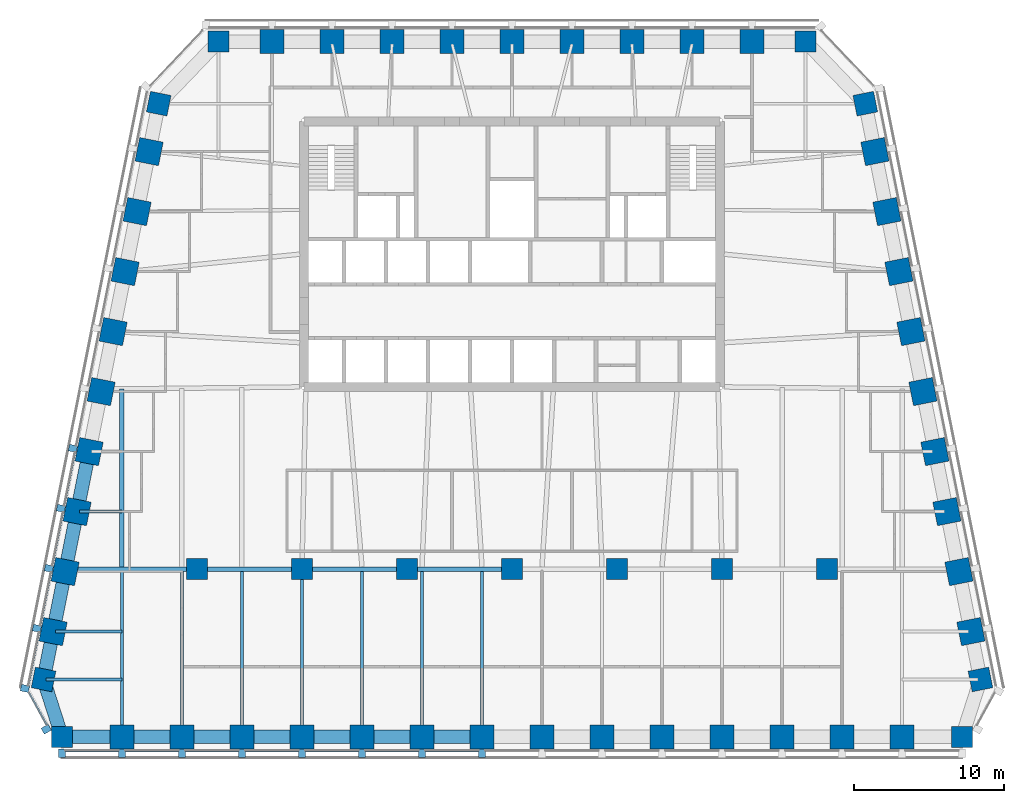
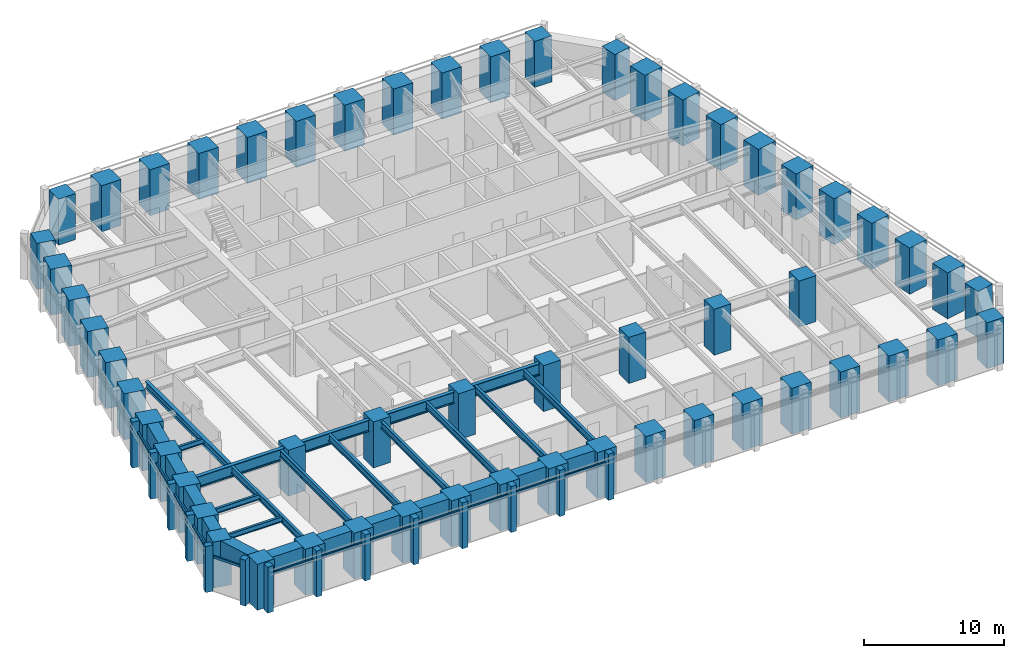
# One storey, part 1 of 11: 56 columns, 27 beams, 26 members, 3 elements without a shape of their own.
"""IFC4 building model written with IfcOpenShell, lengths in metres."""

from ifc_helpers import new_model, si_unit, direction, frame, origin, origin_2d, place, context, subcontext, project, spatial, rectangle, i_section, extrude, material, material_profile, profile_set, type_object, element, aggregate, save


model = new_model("IFC4")

# Units and contexts
model_context = context("Model", 3, precision=1e-05, world=origin(), true_north=direction((0.0, 1.0)))
body_context = subcontext(model_context, "Body", "Model", "MODEL_VIEW")
ifc_project = project(units=[si_unit("LENGTHUNIT", "METRE"), si_unit("AREAUNIT", "SQUARE_METRE"), si_unit("VOLUMEUNIT", "CUBIC_METRE"), si_unit("PLANEANGLEUNIT", "RADIAN"), si_unit("MASSUNIT", "GRAM", prefix="KILO")], contexts=[model_context])

# Site, building, storey
site_placement = place(None, origin())
site = spatial("IfcSite", under=ifc_project, at=site_placement, CompositionType="ELEMENT")
building_placement = place(site_placement, origin())
building = spatial("IfcBuilding", under=site, at=building_placement, Name="Isbrekke Arena Tower", CompositionType="ELEMENT")
storey_placement = place(building_placement, frame((0.0, 0.0, 206.0)))
storey = spatial("IfcBuildingStorey", under=building, at=storey_placement, Name="L47", CompositionType="ELEMENT", Elevation=206.0)

# Columns
ifc_material_1 = material(Name="Concrete B65 (C65/80)", Category="concrete")
ifc_material_profile_1 = material_profile(ifc_material_1, rectangle(XDim=1.39990234375, YDim=1.39990234375, at=origin_2d()), Name="RC 1400x1400")
ifc_profile_set_1 = profile_set([ifc_material_profile_1], Name="Concrete B65 (C65/80)")
column_type_1 = type_object("IfcColumnType", Name="C13 RC 1400 x 1400", PredefinedType="COLUMN", material=ifc_profile_set_1)
for number, where, z_axis, x_axis, name in (
    (1, (-21.0, -6.0, 0.0), (0.0, 0.0, 1.0), (1.0, 0.0, 0.0), "C13 I01"),
    (2, (-14.0, -6.0, 0.0), (0.0, 0.0, 1.0), (1.0, 0.0, 0.0), "C13 I02"),
    (3, (-7.0, -6.0, 0.0), (0.0, 0.0, 1.0), (1.0, 0.0, 0.0), "C13 I03"),
    (4, (0.0, -6.0, 0.0), (0.0, 0.0, 1.0), (1.0, 0.0, 0.0), "C13 I04"),
    (5, (7.0, -6.0, 0.0), (0.0, 0.0, 1.0), (1.0, 0.0, 0.0), "C13 I05"),
    (6, (14.0, -6.0, 0.0), (0.0, 0.0, 1.0), (1.0, 0.0, 0.0), "C13 I06"),
    (7, (21.0, -6.0, 0.0), (0.0, 0.0, 1.0), (1.0, 0.0, 0.0), "C13 I07"),
):
    element("IfcColumn", number, at=place(storey_placement, frame(where, z_axis=z_axis, x_axis=x_axis)), inside=storey, type_object=column_type_1, Name=name, PredefinedType="COLUMN", context=body_context, shape_type="SweptSolid", body=[
        extrude(rectangle(XDim=1.39990234375, YDim=1.39990234375, at=origin_2d()), origin(), (0.0, 0.0, 1.0), 4.0),
    ])
ifc_material_2 = material(Name="Concrete B65 (C65/80)", Category="concrete")
ifc_material_profile_2 = material_profile(ifc_material_2, rectangle(XDim=1.60009765625, YDim=1.60009765625, at=origin_2d()), Name="RC 1600x1600")
ifc_profile_set_2 = profile_set([ifc_material_profile_2], Name="Concrete B65 (C65/80)")
column_type_2 = type_object("IfcColumnType", Name="C4 RC 1600 x 1600", PredefinedType="COLUMN", material=ifc_profile_set_2)
for number, where, z_axis, x_axis, name in (
    (8, (-26.0, -17.175048828125, 0.0), (0.0, 0.0, 1.0), (1.0, 0.0, 0.0), "C4 S02"),
    (9, (-22.0, -17.175048828125, 0.0), (0.0, 0.0, 1.0), (1.0, 0.0, 0.0), "C4 S03"),
    (10, (-18.0, -17.175048828125, 0.0), (0.0, 0.0, 1.0), (1.0, 0.0, 0.0), "C4 S04"),
    (11, (-14.0, -17.175048828125, 0.0), (0.0, 0.0, 1.0), (1.0, 0.0, 0.0), "C4 S05"),
    (12, (-10.0, -17.175048828125, 0.0), (0.0, 0.0, 1.0), (1.0, 0.0, 0.0), "C4 S06"),
    (13, (-6.0, -17.175048828125, 0.0), (0.0, 0.0, 1.0), (1.0, 0.0, 0.0), "C4 S07"),
    (14, (-2.0, -17.175048828125, 0.0), (0.0, 0.0, 1.0), (1.0, 0.0, 0.0), "C4 S08"),
    (15, (2.0, -17.175048828125, 0.0), (0.0, 0.0, 1.0), (1.0, 0.0, 0.0), "C4 S09"),
    (16, (6.0, -17.175048828125, 0.0), (0.0, 0.0, 1.0), (1.0, 0.0, 0.0), "C4 S10"),
    (17, (10.0, -17.175048828125, 0.0), (0.0, 0.0, 1.0), (1.0, 0.0, 0.0), "C4 S11"),
    (18, (14.0, -17.175048828125, 0.0), (0.0, 0.0, 1.0), (1.0, 0.0, 0.0), "C4 S12"),
    (19, (18.0, -17.175048828125, 0.0), (0.0, 0.0, 1.0), (1.0, 0.0, 0.0), "C4 S13"),
    (20, (22.0, -17.175048828125, 0.0), (0.0, 0.0, 1.0), (1.0, 0.0, 0.0), "C4 S14"),
    (21, (26.0, -17.175048828125, 0.0), (0.0, 0.0, 1.0), (1.0, 0.0, 0.0), "C4 S15"),
    (22, (30.591064453125, -10.161865234375, 0.0), (0.0, 0.0, 1.0), (-0.196116135138, 0.980580675691, 0.0), "C4 E02"),
    (23, (29.791015625, -6.161865234375, 0.0), (0.0, 0.0, 1.0), (-0.196116135138, 0.980580675691, 0.0), "C4 E03"),
    (24, (28.990966796875, -2.161865234375, 0.0), (0.0, 0.0, 1.0), (-0.196116135138, 0.980580675691, 0.0), "C4 E04"),
    (25, (28.19091796875, 1.838134765625, 0.0), (0.0, 0.0, 1.0), (-0.196116135138, 0.980580675691, 0.0), "C4 E05"),
    (26, (27.39111328125, 5.838134765625, 0.0), (0.0, 0.0, 1.0), (-0.196116135138, 0.980580675691, 0.0), "C4 E06"),
    (27, (26.591064453125, 9.838134765625, 0.0), (0.0, 0.0, 1.0), (-0.196116135138, 0.980580675691, 0.0), "C4 E07"),
    (28, (25.791015625, 13.838134765625, 0.0), (0.0, 0.0, 1.0), (-0.196116135138, 0.980580675691, 0.0), "C4 E08"),
    (29, (24.990966796875, 17.838134765625, 0.0), (0.0, 0.0, 1.0), (-0.196116135138, 0.980580675691, 0.0), "C4 E09"),
    (30, (24.19091796875, 21.838134765625, 0.0), (0.0, 0.0, 1.0), (-0.196116135138, 0.980580675691, 0.0), "C4 E10"),
    (31, (16.0, 29.175048828125, 0.0), (0.0, 0.0, 1.0), (-1.0, 0.0, 0.0), "C4 N02"),
    (32, (12.0, 29.175048828125, 0.0), (0.0, 0.0, 1.0), (-1.0, 0.0, 0.0), "C4 N03"),
    (33, (8.0, 29.175048828125, 0.0), (0.0, 0.0, 1.0), (-1.0, 0.0, 0.0), "C4 N04"),
    (34, (4.0, 29.175048828125, 0.0), (0.0, 0.0, 1.0), (-1.0, 0.0, 0.0), "C4 N05"),
    (35, (0.0, 29.175048828125, 0.0), (0.0, 0.0, 1.0), (-1.0, 0.0, 0.0), "C4 N06"),
    (36, (-4.0, 29.175048828125, 0.0), (0.0, 0.0, 1.0), (-1.0, 0.0, 0.0), "C4 N07"),
    (37, (-8.0, 29.175048828125, 0.0), (0.0, 0.0, 1.0), (-1.0, 0.0, 0.0), "C4 N08"),
    (38, (-12.0, 29.175048828125, 0.0), (0.0, 0.0, 1.0), (-1.0, 0.0, 0.0), "C4 N09"),
    (39, (-16.0, 29.175048828125, 0.0), (0.0, 0.0, 1.0), (-1.0, 0.0, 0.0), "C4 N10"),
    (40, (-24.19091796875, 21.838134765625, 0.0), (0.0, 0.0, 1.0), (-0.196116135138, -0.980580675691, 0.0), "C4 W02"),
    (41, (-24.990966796875, 17.838134765625, 0.0), (0.0, 0.0, 1.0), (-0.196116135138, -0.980580675691, 0.0), "C4 W03"),
    (42, (-25.791015625, 13.838134765625, 0.0), (0.0, 0.0, 1.0), (-0.196116135138, -0.980580675691, 0.0), "C4 W04"),
    (43, (-26.591064453125, 9.838134765625, 0.0), (0.0, 0.0, 1.0), (-0.196116135138, -0.980580675691, 0.0), "C4 W05"),
    (44, (-27.39111328125, 5.838134765625, 0.0), (0.0, 0.0, 1.0), (-0.196116135138, -0.980580675691, 0.0), "C4 W06"),
    (45, (-28.19091796875, 1.838134765625, 0.0), (0.0, 0.0, 1.0), (-0.196116135138, -0.980580675691, 0.0), "C4 W07"),
    (46, (-28.990966796875, -2.161865234375, 0.0), (0.0, 0.0, 1.0), (-0.196116135138, -0.980580675691, 0.0), "C4 W08"),
    (47, (-29.791015625, -6.161865234375, 0.0), (0.0, 0.0, 1.0), (-0.196116135138, -0.980580675691, 0.0), "C4 W09"),
    (48, (-30.591064453125, -10.161865234375, 0.0), (0.0, 0.0, 1.0), (-0.196116135138, -0.980580675691, 0.0), "C4 W10"),
):
    element("IfcColumn", number, at=place(storey_placement, frame(where, z_axis=z_axis, x_axis=x_axis)), inside=storey, type_object=column_type_2, Name=name, PredefinedType="COLUMN", context=body_context, shape_type="SweptSolid", body=[
        extrude(rectangle(XDim=1.60009765625, YDim=1.60009765625, at=origin_2d()), origin(), (0.0, 0.0, 1.0), 4.0),
    ])
ifc_material_3 = material(Name="Concrete B65 (C65/80)", Category="concrete")
ifc_material_profile_3 = material_profile(ifc_material_3, rectangle(XDim=1.39990234375, YDim=1.39990234375, at=origin_2d()), Name="RC 1400x1400")
ifc_profile_set_3 = profile_set([ifc_material_profile_3], Name="Concrete B65 (C65/80)")
column_type_3 = type_object("IfcColumnType", Name="C8 RC 1400 x 1400", PredefinedType="COLUMN", material=ifc_profile_set_3)
for number, where, z_axis, x_axis, name in (
    (49, (-30.0, -17.175048828125, 0.0), (0.0, 0.0, 1.0), (1.0, 0.0, 0.0), "C8 S01"),
    (50, (30.0, -17.175048828125, 0.0), (0.0, 0.0, 1.0), (1.0, 0.0, 0.0), "C8 S16"),
    (51, (31.229248046875, -13.352783203125, 0.0), (0.0, 0.0, 1.0), (-0.196116135138, 0.980580675691, 0.0), "C8 E01"),
    (52, (23.552734375, 25.029296875, 0.0), (0.0, 0.0, 1.0), (-0.196116135138, 0.980580675691, 0.0), "C8 E11"),
    (53, (19.574951171875, 29.175048828125, 0.0), (0.0, 0.0, 1.0), (-1.0, 0.0, 0.0), "C8 N01"),
    (54, (-19.574951171875, 29.175048828125, 0.0), (0.0, 0.0, 1.0), (-1.0, 0.0, 0.0), "C8 N11"),
    (55, (-23.552734375, 25.029296875, 0.0), (0.0, 0.0, 1.0), (-0.196116135138, -0.980580675691, 0.0), "C8 W01"),
    (56, (-31.229248046875, -13.352783203125, 0.0), (0.0, 0.0, 1.0), (-0.196116135138, -0.980580675691, 0.0), "C8 W11"),
):
    element("IfcColumn", number, at=place(storey_placement, frame(where, z_axis=z_axis, x_axis=x_axis)), inside=storey, type_object=column_type_3, Name=name, PredefinedType="COLUMN", context=body_context, shape_type="SweptSolid", body=[
        extrude(rectangle(XDim=1.39990234375, YDim=1.39990234375, at=origin_2d()), origin(), (0.0, 0.0, 1.0), 4.0),
    ])

# Beams
ifc_material_4 = material(Name="Steel S355", Category="steel")
ifc_material_profile_4 = material_profile(ifc_material_4, i_section(OverallWidth=0.219970703125, OverallDepth=0.60009765625, WebThickness=0.011962890625, FlangeThickness=0.01904296875, FilletRadius=0.02392578125, at=origin_2d()), Name="IPE 600")
ifc_profile_set_4 = profile_set([ifc_material_profile_4], Name="Steel S355")
beam_type_1 = type_object("IfcBeamType", Name="B1 IPE 600", PredefinedType="BEAM", material=ifc_profile_set_4)
for number, where, z_axis, x_axis, name in (
    (57, (-26.0, -17.02490234375, 3.550048828125), (0.0, 1.0, 0.0), (-1.0, 0.0, 0.0), "B1 beam S-S02 L47"),
    (58, (-22.0, -17.02490234375, 3.550048828125), (0.0, 1.0, 0.0), (-1.0, 0.0, 0.0), "B1 beam S-S03 L47"),
    (59, (-18.0, -17.02490234375, 3.550048828125), (0.0, 1.0, 0.0), (-1.0, 0.0, 0.0), "B1 beam S-S04 L47"),
):
    element("IfcBeam", number, at=place(storey_placement, frame(where, z_axis=z_axis, x_axis=x_axis)), inside=storey, type_object=beam_type_1, Name=name, PredefinedType="BEAM", context=body_context, shape_type="SweptSolid", body=[
        extrude(i_section(OverallWidth=0.219970703125, OverallDepth=0.60009765625, WebThickness=0.011962890625, FlangeThickness=0.01904296875, FilletRadius=0.02392578125, at=origin_2d()), origin(), (0.0, 0.0, 1.0), 10.8740234375),
    ])
beam_1_placement = place(storey_placement, frame((-14.0, -17.02490234375, 3.550048828125), z_axis=(0.0, 1.0, 0.0), x_axis=(-1.0, 0.0, 0.0)))
element("IfcBeam", 60, at=beam_1_placement, inside=storey, type_object=beam_type_1, Name="B1 beam S-S05 L47", PredefinedType="BEAM", context=body_context, shape_type="SweptSolid", body=[
    extrude(i_section(OverallWidth=0.219970703125, OverallDepth=0.60009765625, WebThickness=0.011962890625, FlangeThickness=0.01904296875, FilletRadius=0.02392578125, at=origin_2d()), origin(), (0.0, 0.0, 1.0), 10.875),
])
for number, where, z_axis, x_axis, name in (
    (61, (-10.0, -17.02490234375, 3.550048828125), (0.0, 1.0, 0.0), (-1.0, 0.0, 0.0), "B1 beam S-S06 L47"),
    (62, (-6.0, -17.02490234375, 3.550048828125), (0.0, 1.0, 0.0), (-1.0, 0.0, 0.0), "B1 beam S-S07 L47"),
    (63, (-2.0, -17.02490234375, 3.550048828125), (0.0, 1.0, 0.0), (-1.0, 0.0, 0.0), "B1 beam S-S08 L47"),
):
    element("IfcBeam", number, at=place(storey_placement, frame(where, z_axis=z_axis, x_axis=x_axis)), inside=storey, type_object=beam_type_1, Name=name, PredefinedType="BEAM", context=body_context, shape_type="SweptSolid", body=[
        extrude(i_section(OverallWidth=0.219970703125, OverallDepth=0.60009765625, WebThickness=0.011962890625, FlangeThickness=0.01904296875, FilletRadius=0.02392578125, at=origin_2d()), origin(), (0.0, 0.0, 1.0), 10.8740234375),
    ])
ifc_material_5 = material(Name="Steel S355", Category="steel")
ifc_material_profile_5 = material_profile(ifc_material_5, i_section(OverallWidth=0.18994140625, OverallDepth=0.449951171875, WebThickness=0.009521484375, FlangeThickness=0.0146484375, FilletRadius=0.02099609375, at=origin_2d()), Name="IPE 450")
ifc_profile_set_5 = profile_set([ifc_material_profile_5], Name="Steel S355")
beam_type_2 = type_object("IfcBeamType", Name="B2 IPE 450", PredefinedType="BEAM", material=ifc_profile_set_5)
beam_2_placement = place(storey_placement, frame((-28.841064453125, -2.161865234375, 3.625), z_axis=(1.0, 0.0, 0.0), x_axis=(0.0, 1.0, 0.0)))
element("IfcBeam", 64, at=beam_2_placement, inside=storey, type_object=beam_type_2, Name="B2 beam E-W08 L47", PredefinedType="BEAM", context=body_context, shape_type="SweptSolid", body=[
    extrude(i_section(OverallWidth=0.18994140625, OverallDepth=0.449951171875, WebThickness=0.009521484375, FlangeThickness=0.0146484375, FilletRadius=0.02099609375, at=origin_2d()), origin(), (0.0, 0.0, 1.0), 2.841064453125),
])
beam_3_placement = place(storey_placement, frame((-30.44091796875, -10.161865234375, 3.625), z_axis=(1.0, 0.0, 0.0), x_axis=(0.0, 1.0, 0.0)))
element("IfcBeam", 65, at=beam_3_placement, inside=storey, type_object=beam_type_2, Name="B2 beam E-W10 L47", PredefinedType="BEAM", context=body_context, shape_type="SweptSolid", body=[
    extrude(i_section(OverallWidth=0.18994140625, OverallDepth=0.449951171875, WebThickness=0.009521484375, FlangeThickness=0.0146484375, FilletRadius=0.02099609375, at=origin_2d()), origin(), (0.0, 0.0, 1.0), 4.44091796875),
])
beam_4_placement = place(storey_placement, frame((-31.079345703125, -13.352783203125, 3.625), z_axis=(1.0, 0.0, 0.0), x_axis=(0.0, 1.0, 0.0)))
element("IfcBeam", 66, at=beam_4_placement, inside=storey, type_object=beam_type_2, Name="B2 beam E-W11 L47", PredefinedType="BEAM", context=body_context, shape_type="SweptSolid", body=[
    extrude(i_section(OverallWidth=0.18994140625, OverallDepth=0.449951171875, WebThickness=0.009521484375, FlangeThickness=0.0146484375, FilletRadius=0.02099609375, at=origin_2d()), origin(), (0.0, 0.0, 1.0), 5.079345703125),
])
ifc_material_6 = material(Name="Steel S355", Category="steel")
ifc_material_profile_6 = material_profile(ifc_material_6, i_section(OverallWidth=0.300048828125, OverallDepth=0.60009765625, WebThickness=0.015380859375, FlangeThickness=0.030029296875, FilletRadius=0.027099609375, at=origin_2d()), Name="HEB 600")
ifc_profile_set_6 = profile_set([ifc_material_profile_6], Name="Steel S355")
beam_type_3 = type_object("IfcBeamType", Name="B7 HEB 600", PredefinedType="BEAM", material=ifc_profile_set_6)
beam_5_placement = place(storey_placement, frame((-26.0, -5.84912109375, 3.550048828125), z_axis=(0.0, 1.0, 0.0), x_axis=(-1.0, 0.0, 0.0)))
element("IfcBeam", 67, at=beam_5_placement, inside=storey, type_object=beam_type_3, Name="B7 beam C-M01 L47", PredefinedType="BEAM", context=body_context, shape_type="SweptSolid", body=[
    extrude(i_section(OverallWidth=0.300048828125, OverallDepth=0.60009765625, WebThickness=0.015380859375, FlangeThickness=0.030029296875, FilletRadius=0.027099609375, at=origin_2d()), origin(), (0.0, 0.0, 1.0), 11.864990234375),
])

# Curtain wall, members
ifc_material_7 = material(Name="Glazed aluminium curtain wall", Category="aluminium")
curtain_wall_type = type_object("IfcCurtainWallType", Name="CWH TOWER CURTAIN WALL HIGH ZONE", PredefinedType="USERDEFINED", material=ifc_material_7)
curtain_wall_1_placement = place(storey_placement, origin())
curtain_wall_1 = element("IfcCurtainWall", 68, at=curtain_wall_1_placement, inside=storey, type_object=curtain_wall_type, Name="CWH curtain wall L47-S", ObjectType="TOWER CURTAIN WALL HIGH ZONE", PredefinedType="USERDEFINED")
ifc_material_8 = material(Name="Aluminium mullion, pale brick slip cladding", Category="masonry")
ifc_material_profile_7 = material_profile(ifc_material_8, rectangle(XDim=0.449951171875, YDim=0.550048828125, at=origin_2d()), Name="PIER 450X550")
ifc_profile_set_7 = profile_set([ifc_material_profile_7], Name="Aluminium mullion, pale brick slip cladding")
member_type_1 = type_object("IfcMemberType", Name="CWH-M PIER MULLION 450 x 550", PredefinedType="MULLION", material=ifc_profile_set_7)
member_1_placement = place(storey_placement, frame((-30.0, -18.27490234375, 0.0), z_axis=(0.0, 0.0, 1.0), x_axis=(1.0, 0.0, 0.0)))
member_1 = element("IfcMember", 69, at=member_1_placement, type_object=member_type_1, Name="CWH-M mullion 1", PredefinedType="MULLION", context=body_context, shape_type="SweptSolid", body=[
    extrude(rectangle(XDim=0.449951171875, YDim=0.550048828125, at=origin_2d()), origin(), (0.0, 0.0, 1.0), 4.0),
])
member_2_placement = place(storey_placement, frame((-26.0, -18.27490234375, 0.0), z_axis=(0.0, 0.0, 1.0), x_axis=(1.0, 0.0, 0.0)))
member_2 = element("IfcMember", 70, at=member_2_placement, type_object=member_type_1, Name="CWH-M mullion 2", PredefinedType="MULLION", context=body_context, shape_type="SweptSolid", body=[
    extrude(rectangle(XDim=0.449951171875, YDim=0.550048828125, at=origin_2d()), origin(), (0.0, 0.0, 1.0), 4.0),
])
member_3_placement = place(storey_placement, frame((-22.0, -18.27490234375, 0.0), z_axis=(0.0, 0.0, 1.0), x_axis=(1.0, 0.0, 0.0)))
member_3 = element("IfcMember", 71, at=member_3_placement, type_object=member_type_1, Name="CWH-M mullion 3", PredefinedType="MULLION", context=body_context, shape_type="SweptSolid", body=[
    extrude(rectangle(XDim=0.449951171875, YDim=0.550048828125, at=origin_2d()), origin(), (0.0, 0.0, 1.0), 4.0),
])
member_4_placement = place(storey_placement, frame((-18.0, -18.27490234375, 0.0), z_axis=(0.0, 0.0, 1.0), x_axis=(1.0, 0.0, 0.0)))
member_4 = element("IfcMember", 72, at=member_4_placement, type_object=member_type_1, Name="CWH-M mullion 4", PredefinedType="MULLION", context=body_context, shape_type="SweptSolid", body=[
    extrude(rectangle(XDim=0.449951171875, YDim=0.550048828125, at=origin_2d()), origin(), (0.0, 0.0, 1.0), 4.0),
])
member_5_placement = place(storey_placement, frame((-14.0, -18.27490234375, 0.0), z_axis=(0.0, 0.0, 1.0), x_axis=(1.0, 0.0, 0.0)))
member_5 = element("IfcMember", 73, at=member_5_placement, type_object=member_type_1, Name="CWH-M mullion 5", PredefinedType="MULLION", context=body_context, shape_type="SweptSolid", body=[
    extrude(rectangle(XDim=0.449951171875, YDim=0.550048828125, at=origin_2d()), origin(), (0.0, 0.0, 1.0), 4.0),
])
member_6_placement = place(storey_placement, frame((-10.0, -18.27490234375, 0.0), z_axis=(0.0, 0.0, 1.0), x_axis=(1.0, 0.0, 0.0)))
member_6 = element("IfcMember", 74, at=member_6_placement, type_object=member_type_1, Name="CWH-M mullion 6", PredefinedType="MULLION", context=body_context, shape_type="SweptSolid", body=[
    extrude(rectangle(XDim=0.449951171875, YDim=0.550048828125, at=origin_2d()), origin(), (0.0, 0.0, 1.0), 4.0),
])
member_7_placement = place(storey_placement, frame((-6.0, -18.27490234375, 0.0), z_axis=(0.0, 0.0, 1.0), x_axis=(1.0, 0.0, 0.0)))
member_7 = element("IfcMember", 75, at=member_7_placement, type_object=member_type_1, Name="CWH-M mullion 7", PredefinedType="MULLION", context=body_context, shape_type="SweptSolid", body=[
    extrude(rectangle(XDim=0.449951171875, YDim=0.550048828125, at=origin_2d()), origin(), (0.0, 0.0, 1.0), 4.0),
])
member_8_placement = place(storey_placement, frame((-2.0, -18.27490234375, 0.0), z_axis=(0.0, 0.0, 1.0), x_axis=(1.0, 0.0, 0.0)))
member_8 = element("IfcMember", 76, at=member_8_placement, type_object=member_type_1, Name="CWH-M mullion 8", PredefinedType="MULLION", context=body_context, shape_type="SweptSolid", body=[
    extrude(rectangle(XDim=0.449951171875, YDim=0.550048828125, at=origin_2d()), origin(), (0.0, 0.0, 1.0), 4.0),
])

curtain_wall_2_placement = place(storey_placement, origin())
curtain_wall_2 = element("IfcCurtainWall", 77, at=curtain_wall_2_placement, inside=storey, type_object=curtain_wall_type, Name="CWH curtain wall L47-W", ObjectType="TOWER CURTAIN WALL HIGH ZONE", PredefinedType="USERDEFINED")
member_9_placement = place(storey_placement, frame((-29.269775390625, 2.053955078125, 0.0), z_axis=(0.0, 0.0, 1.0), x_axis=(-0.196116135138, -0.980580675691, 0.0)))
member_9 = element("IfcMember", 78, at=member_9_placement, type_object=member_type_1, Name="CWH-M mullion 6", PredefinedType="MULLION", context=body_context, shape_type="SweptSolid", body=[
    extrude(rectangle(XDim=0.449951171875, YDim=0.550048828125, at=origin_2d()), origin(), (0.0, 0.0, 1.0), 4.0),
])
member_10_placement = place(storey_placement, frame((-30.069580078125, -1.946044921875, 0.0), z_axis=(0.0, 0.0, 1.0), x_axis=(-0.196116135138, -0.980580675691, 0.0)))
member_10 = element("IfcMember", 79, at=member_10_placement, type_object=member_type_1, Name="CWH-M mullion 7", PredefinedType="MULLION", context=body_context, shape_type="SweptSolid", body=[
    extrude(rectangle(XDim=0.449951171875, YDim=0.550048828125, at=origin_2d()), origin(), (0.0, 0.0, 1.0), 4.0),
])
member_11_placement = place(storey_placement, frame((-30.86962890625, -5.946044921875, 0.0), z_axis=(0.0, 0.0, 1.0), x_axis=(-0.196116135138, -0.980580675691, 0.0)))
member_11 = element("IfcMember", 80, at=member_11_placement, type_object=member_type_1, Name="CWH-M mullion 8", PredefinedType="MULLION", context=body_context, shape_type="SweptSolid", body=[
    extrude(rectangle(XDim=0.449951171875, YDim=0.550048828125, at=origin_2d()), origin(), (0.0, 0.0, 1.0), 4.0),
])
member_12_placement = place(storey_placement, frame((-31.669677734375, -9.946044921875, 0.0), z_axis=(0.0, 0.0, 1.0), x_axis=(-0.196116135138, -0.980580675691, 0.0)))
member_12 = element("IfcMember", 81, at=member_12_placement, type_object=member_type_1, Name="CWH-M mullion 9", PredefinedType="MULLION", context=body_context, shape_type="SweptSolid", body=[
    extrude(rectangle(XDim=0.449951171875, YDim=0.550048828125, at=origin_2d()), origin(), (0.0, 0.0, 1.0), 4.0),
])
member_13_placement = place(storey_placement, frame((-32.4697265625, -13.946044921875, 0.0), z_axis=(0.0, 0.0, 1.0), x_axis=(-0.196116135138, -0.980580675691, 0.0)))
member_13 = element("IfcMember", 82, at=member_13_placement, type_object=member_type_1, Name="CWH-M mullion 10", PredefinedType="MULLION", context=body_context, shape_type="SweptSolid", body=[
    extrude(rectangle(XDim=0.449951171875, YDim=0.550048828125, at=origin_2d()), origin(), (0.0, 0.0, 1.0), 4.0),
])

# Curtain wall, member
curtain_wall_3_placement = place(storey_placement, origin())
curtain_wall_3 = element("IfcCurtainWall", 83, at=curtain_wall_3_placement, inside=storey, type_object=curtain_wall_type, Name="CWH curtain wall L47-WS", ObjectType="TOWER CURTAIN WALL HIGH ZONE", PredefinedType="USERDEFINED")
member_14_placement = place(storey_placement, frame((-31.04638671875, -16.66796875, 0.0), z_axis=(0.0, 0.0, 1.0), x_axis=(0.481918749773, -0.876215908676, 0.0)))
member_14 = element("IfcMember", 84, at=member_14_placement, type_object=member_type_1, Name="CWH-M mullion 1", PredefinedType="MULLION", context=body_context, shape_type="SweptSolid", body=[
    extrude(rectangle(XDim=0.449951171875, YDim=0.550048828125, at=origin_2d()), origin(), (0.0, 0.0, 1.0), 4.0),
])

# Member
ifc_material_9 = material(Name="Aluminium transom", Category="aluminium")
ifc_material_profile_8 = material_profile(ifc_material_9, rectangle(XDim=0.1201171875, YDim=0.199951171875, at=origin_2d()), Name="TRANSOM 120X200")
ifc_profile_set_8 = profile_set([ifc_material_profile_8], Name="Aluminium transom")
member_type_2 = type_object("IfcMemberType", Name="CWH-T TRANSOM 120 x 200", PredefinedType="USERDEFINED", material=ifc_profile_set_8)
member_15_placement = place(storey_placement, frame((-29.77490234375, -18.10009765625, 3.0), z_axis=(1.0, 0.0, 0.0), x_axis=(0.0, 1.0, 0.0)))
member_15 = element("IfcMember", 85, at=member_15_placement, type_object=member_type_2, Name="CWH-T transom 1", ObjectType="TRANSOM", PredefinedType="USERDEFINED", context=body_context, shape_type="SweptSolid", body=[
    extrude(rectangle(XDim=0.1201171875, YDim=0.199951171875, at=origin_2d()), origin(), (0.0, 0.0, 1.0), 3.5498046875),
])

member_16_placement = place(storey_placement, frame((-25.77490234375, -18.10009765625, 3.0), z_axis=(1.0, 0.0, 0.0), x_axis=(0.0, 1.0, 0.0)))
member_16 = element("IfcMember", 86, at=member_16_placement, type_object=member_type_2, Name="CWH-T transom 2", ObjectType="TRANSOM", PredefinedType="USERDEFINED", context=body_context, shape_type="SweptSolid", body=[
    extrude(rectangle(XDim=0.1201171875, YDim=0.199951171875, at=origin_2d()), origin(), (0.0, 0.0, 1.0), 3.5498046875),
])

member_17_placement = place(storey_placement, frame((-21.77490234375, -18.10009765625, 3.0), z_axis=(1.0, 0.0, 0.0), x_axis=(0.0, 1.0, 0.0)))
member_17 = element("IfcMember", 87, at=member_17_placement, type_object=member_type_2, Name="CWH-T transom 3", ObjectType="TRANSOM", PredefinedType="USERDEFINED", context=body_context, shape_type="SweptSolid", body=[
    extrude(rectangle(XDim=0.1201171875, YDim=0.199951171875, at=origin_2d()), origin(), (0.0, 0.0, 1.0), 3.5498046875),
])

member_18_placement = place(storey_placement, frame((-17.77490234375, -18.10009765625, 3.0), z_axis=(1.0, 0.0, 0.0), x_axis=(0.0, 1.0, 0.0)))
member_18 = element("IfcMember", 88, at=member_18_placement, type_object=member_type_2, Name="CWH-T transom 4", ObjectType="TRANSOM", PredefinedType="USERDEFINED", context=body_context, shape_type="SweptSolid", body=[
    extrude(rectangle(XDim=0.1201171875, YDim=0.199951171875, at=origin_2d()), origin(), (0.0, 0.0, 1.0), 3.5498046875),
])

member_19_placement = place(storey_placement, frame((-13.77490234375, -18.10009765625, 3.0), z_axis=(1.0, 0.0, 0.0), x_axis=(0.0, 1.0, 0.0)))
member_19 = element("IfcMember", 89, at=member_19_placement, type_object=member_type_2, Name="CWH-T transom 5", ObjectType="TRANSOM", PredefinedType="USERDEFINED", context=body_context, shape_type="SweptSolid", body=[
    extrude(rectangle(XDim=0.1201171875, YDim=0.199951171875, at=origin_2d()), origin(), (0.0, 0.0, 1.0), 3.5498046875),
])

member_20_placement = place(storey_placement, frame((-9.77490234375, -18.10009765625, 3.0), z_axis=(1.0, 0.0, 0.0), x_axis=(0.0, 1.0, 0.0)))
member_20 = element("IfcMember", 90, at=member_20_placement, type_object=member_type_2, Name="CWH-T transom 6", ObjectType="TRANSOM", PredefinedType="USERDEFINED", context=body_context, shape_type="SweptSolid", body=[
    extrude(rectangle(XDim=0.1201171875, YDim=0.199951171875, at=origin_2d()), origin(), (0.0, 0.0, 1.0), 3.5498046875),
])

member_21_placement = place(storey_placement, frame((-5.77490234375, -18.10009765625, 3.0), z_axis=(1.0, 0.0, 0.0), x_axis=(0.0, 1.0, 0.0)))
member_21 = element("IfcMember", 91, at=member_21_placement, type_object=member_type_2, Name="CWH-T transom 7", ObjectType="TRANSOM", PredefinedType="USERDEFINED", context=body_context, shape_type="SweptSolid", body=[
    extrude(rectangle(XDim=0.1201171875, YDim=0.199951171875, at=origin_2d()), origin(), (0.0, 0.0, 1.0), 3.5498046875),
])

aggregate(curtain_wall_1, [member_1, member_2, member_3, member_4, member_5, member_6, member_7, member_8, member_15, member_16, member_17, member_18, member_19, member_20, member_21])

member_22_placement = place(storey_placement, frame((-29.14208984375, 1.799072265625, 3.0), z_axis=(-0.196154943734, -0.980572913173, 0.0), x_axis=(0.980572913173, -0.196154943734, 0.0)))
member_22 = element("IfcMember", 92, at=member_22_placement, type_object=member_type_2, Name="CWH-T transom 7", ObjectType="TRANSOM", PredefinedType="USERDEFINED", context=body_context, shape_type="SweptSolid", body=[
    extrude(rectangle(XDim=0.1201171875, YDim=0.199951171875, at=origin_2d()), origin(), (0.0, 0.0, 1.0), 3.62939453125),
])

member_23_placement = place(storey_placement, frame((-29.942138671875, -2.200927734375, 3.0), z_axis=(-0.196154943734, -0.980572913173, 0.0), x_axis=(0.980572913173, -0.196154943734, 0.0)))
member_23 = element("IfcMember", 93, at=member_23_placement, type_object=member_type_2, Name="CWH-T transom 8", ObjectType="TRANSOM", PredefinedType="USERDEFINED", context=body_context, shape_type="SweptSolid", body=[
    extrude(rectangle(XDim=0.1201171875, YDim=0.199951171875, at=origin_2d()), origin(), (0.0, 0.0, 1.0), 3.62939453125),
])

member_24_placement = place(storey_placement, frame((-30.7421875, -6.200927734375, 3.0), z_axis=(-0.196090262229, -0.980585849918, 0.0), x_axis=(0.980585849918, -0.196090262229, 0.0)))
member_24 = element("IfcMember", 94, at=member_24_placement, type_object=member_type_2, Name="CWH-T transom 9", ObjectType="TRANSOM", PredefinedType="USERDEFINED", context=body_context, shape_type="SweptSolid", body=[
    extrude(rectangle(XDim=0.1201171875, YDim=0.199951171875, at=origin_2d()), origin(), (0.0, 0.0, 1.0), 3.62939453125),
])

member_25_placement = place(storey_placement, frame((-31.542236328125, -10.200927734375, 3.0), z_axis=(-0.196090262229, -0.980585849918, 0.0), x_axis=(0.980585849918, -0.196090262229, 0.0)))
member_25 = element("IfcMember", 95, at=member_25_placement, type_object=member_type_2, Name="CWH-T transom 10", ObjectType="TRANSOM", PredefinedType="USERDEFINED", context=body_context, shape_type="SweptSolid", body=[
    extrude(rectangle(XDim=0.1201171875, YDim=0.199951171875, at=origin_2d()), origin(), (0.0, 0.0, 1.0), 3.62939453125),
])

aggregate(curtain_wall_2, [member_9, member_10, member_11, member_12, member_13, member_22, member_23, member_24, member_25])

member_26_placement = place(storey_placement, frame((-32.17919921875, -14.245361328125, 3.0), z_axis=(0.481957101782, -0.876194813978, 0.0), x_axis=(0.876194813978, 0.481957101782, 0.0)))
member_26 = element("IfcMember", 96, at=member_26_placement, type_object=member_type_2, Name="CWH-T transom 1", ObjectType="TRANSOM", PredefinedType="USERDEFINED", context=body_context, shape_type="SweptSolid", body=[
    extrude(rectangle(XDim=0.1201171875, YDim=0.199951171875, at=origin_2d()), origin(), (0.0, 0.0, 1.0), 2.443603515625),
])

aggregate(curtain_wall_3, [member_14, member_26])

# Beams
ifc_material_10 = material(Name="Steel S355", Category="steel")
ifc_material_profile_9 = material_profile(ifc_material_10, i_section(OverallWidth=0.302001953125, OverallDepth=1.008056640625, WebThickness=0.02099609375, FlangeThickness=0.0400390625, FilletRadius=0.030029296875, at=origin_2d()), Name="HEM 1000")
ifc_profile_set_9 = profile_set([ifc_material_profile_9], Name="Steel S355")
beam_type_4 = type_object("IfcBeamType", Name="G1 HEM 1000", PredefinedType="BEAM", material=ifc_profile_set_9)
beam_6_placement = place(storey_placement, frame((-29.791015625, -6.0, 3.345947265625), z_axis=(1.0, 0.0, 0.0), x_axis=(0.0, 1.0, 0.0)))
element("IfcBeam", 97, at=beam_6_placement, inside=storey, type_object=beam_type_4, Name="G1 beam G1-01 L47", PredefinedType="BEAM", context=body_context, shape_type="SweptSolid", body=[
    extrude(i_section(OverallWidth=0.302001953125, OverallDepth=1.008056640625, WebThickness=0.02099609375, FlangeThickness=0.0400390625, FilletRadius=0.030029296875, at=origin_2d()), origin(), (0.0, 0.0, 1.0), 8.64111328125),
])
for number, where, z_axis, x_axis, name in (
    (98, (-20.85009765625, -6.0, 3.345947265625), (1.0, 0.0, 0.0), (0.0, 1.0, 0.0), "G1 beam G1-02 L47"),
    (99, (-13.85009765625, -6.0, 3.345947265625), (1.0, 0.0, 0.0), (0.0, 1.0, 0.0), "G1 beam G1-03 L47"),
    (100, (-6.85009765625, -6.0, 3.345947265625), (1.0, 0.0, 0.0), (0.0, 1.0, 0.0), "G1 beam G1-04 L47"),
):
    element("IfcBeam", number, at=place(storey_placement, frame(where, z_axis=z_axis, x_axis=x_axis)), inside=storey, type_object=beam_type_4, Name=name, PredefinedType="BEAM", context=body_context, shape_type="SweptSolid", body=[
        extrude(i_section(OverallWidth=0.302001953125, OverallDepth=1.008056640625, WebThickness=0.02099609375, FlangeThickness=0.0400390625, FilletRadius=0.030029296875, at=origin_2d()), origin(), (0.0, 0.0, 1.0), 6.7001953125),
    ])
ifc_material_11 = material(Name="Concrete B65 (C65/80)", Category="concrete")
ifc_material_profile_10 = material_profile(ifc_material_11, rectangle(XDim=0.89990234375, YDim=1.5, at=origin_2d()), Name="RC 900x1500")
ifc_profile_set_10 = profile_set([ifc_material_profile_10], Name="Concrete B65 (C65/80)")
beam_type_5 = type_object("IfcBeamType", Name="SB3 RC 900 x 1500", PredefinedType="SPANDREL", material=ifc_profile_set_10)
for number, where, z_axis, x_axis, name in (
    (101, (-29.85009765625, -17.175048828125, 3.25), (1.0, 0.0, 0.0), (0.0, 1.0, 0.0), "SB3 spandrel S01-S02 L47"),
    (102, (-25.85009765625, -17.175048828125, 3.25), (1.0, 0.0, 0.0), (0.0, 1.0, 0.0), "SB3 spandrel S02-S03 L47"),
    (103, (-21.85009765625, -17.175048828125, 3.25), (1.0, 0.0, 0.0), (0.0, 1.0, 0.0), "SB3 spandrel S03-S04 L47"),
    (104, (-17.85009765625, -17.175048828125, 3.25), (1.0, 0.0, 0.0), (0.0, 1.0, 0.0), "SB3 spandrel S04-S05 L47"),
    (105, (-13.85009765625, -17.175048828125, 3.25), (1.0, 0.0, 0.0), (0.0, 1.0, 0.0), "SB3 spandrel S05-S06 L47"),
    (106, (-9.85009765625, -17.175048828125, 3.25), (1.0, 0.0, 0.0), (0.0, 1.0, 0.0), "SB3 spandrel S06-S07 L47"),
    (107, (-5.85009765625, -17.175048828125, 3.25), (1.0, 0.0, 0.0), (0.0, 1.0, 0.0), "SB3 spandrel S07-S08 L47"),
):
    element("IfcBeam", number, at=place(storey_placement, frame(where, z_axis=z_axis, x_axis=x_axis)), inside=storey, type_object=beam_type_5, Name=name, PredefinedType="SPANDREL", context=body_context, shape_type="SweptSolid", body=[
        extrude(rectangle(XDim=0.89990234375, YDim=1.5, at=origin_2d()), origin(), (0.0, 0.0, 1.0), 3.7001953125),
    ])
for number, where, z_axis, x_axis, name in (
    (108, (-28.220458984375, 1.691162109375, 3.25), (-0.196128558387, -0.980578190959, 0.0), (0.980578190959, -0.196128558387, 0.0), "SB3 spandrel W07-W08 L47"),
    (109, (-29.0205078125, -2.308837890625, 3.25), (-0.196128558387, -0.980578190959, 0.0), (0.980578190959, -0.196128558387, 0.0), "SB3 spandrel W08-W09 L47"),
):
    element("IfcBeam", number, at=place(storey_placement, frame(where, z_axis=z_axis, x_axis=x_axis)), inside=storey, type_object=beam_type_5, Name=name, PredefinedType="SPANDREL", context=body_context, shape_type="SweptSolid", body=[
        extrude(rectangle(XDim=0.89990234375, YDim=1.5, at=origin_2d()), origin(), (0.0, 0.0, 1.0), 3.779296875),
    ])
beam_7_placement = place(storey_placement, frame((-29.820556640625, -6.308837890625, 3.25), z_axis=(-0.1960664412, -0.980590613169, 0.0), x_axis=(0.980590613169, -0.1960664412, 0.0)))
element("IfcBeam", 110, at=beam_7_placement, inside=storey, type_object=beam_type_5, Name="SB3 spandrel W09-W10 L47", PredefinedType="SPANDREL", context=body_context, shape_type="SweptSolid", body=[
    extrude(rectangle(XDim=0.89990234375, YDim=1.5, at=origin_2d()), origin(), (0.0, 0.0, 1.0), 3.779052734375),
])
beam_8_placement = place(storey_placement, frame((-30.620361328125, -10.308837890625, 3.25), z_axis=(-0.196100243168, -0.980583853951, 0.0), x_axis=(0.980583853951, -0.196100243168, 0.0)))
element("IfcBeam", 111, at=beam_8_placement, inside=storey, type_object=beam_type_5, Name="SB3 spandrel W10-W11 L47", PredefinedType="SPANDREL", context=body_context, shape_type="SweptSolid", body=[
    extrude(rectangle(XDim=0.89990234375, YDim=1.5, at=origin_2d()), origin(), (0.0, 0.0, 1.0), 2.954345703125),
])
beam_9_placement = place(storey_placement, frame((-31.183349609375, -13.49560546875, 3.25), z_axis=(0.306175101476, -0.951975213562, 0.0), x_axis=(0.951975213562, 0.306175101476, 0.0)))
element("IfcBeam", 112, at=beam_9_placement, inside=storey, type_object=beam_type_5, Name="SB3 spandrel W11-S01 L47", PredefinedType="SPANDREL", context=body_context, shape_type="SweptSolid", body=[
    extrude(rectangle(XDim=0.89990234375, YDim=1.5, at=origin_2d()), origin(), (0.0, 0.0, 1.0), 3.715087890625),
])

save(model, "model.ifc")
